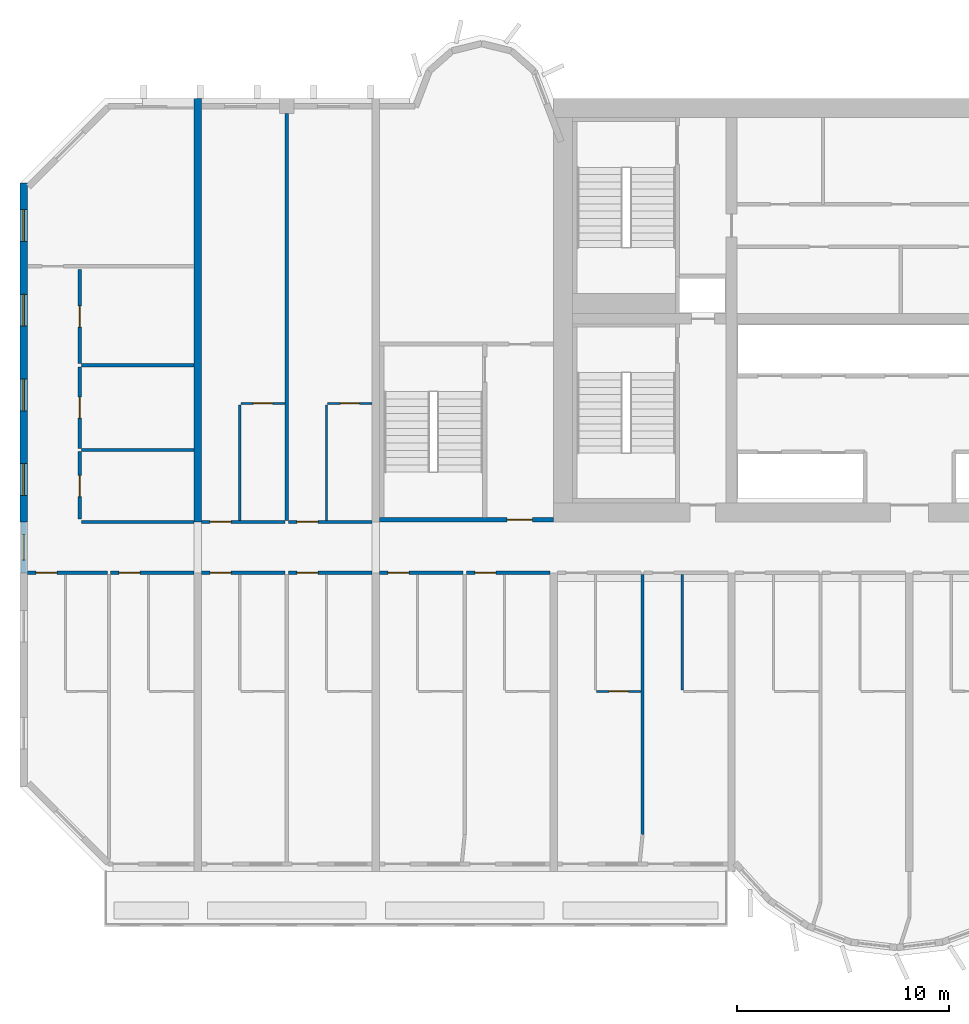
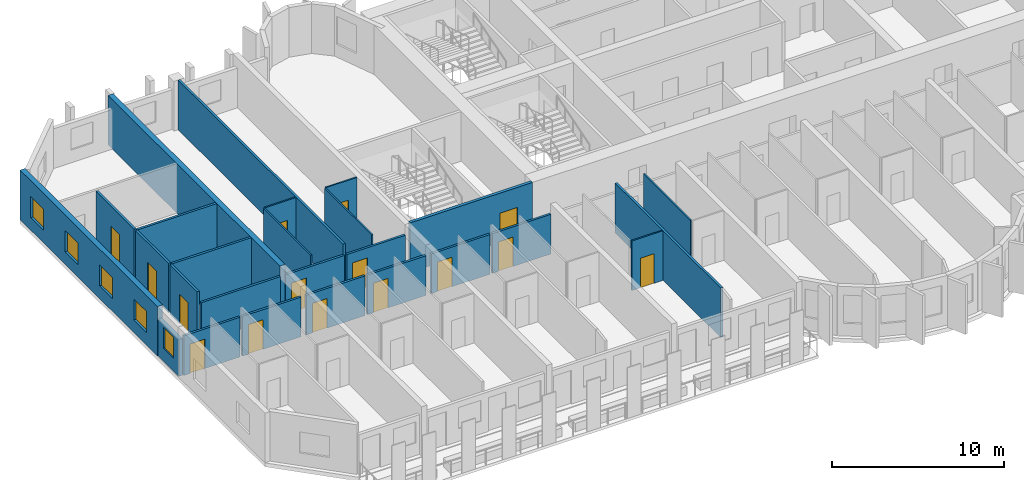
# One storey, part 3 of 14: 26 walls, 15 doors, 5 windows, 20 openings.
"""IFC4 building model written with IfcOpenShell, lengths in metres."""

from ifc_helpers import new_model, si_unit, direction, frame, frame_2d, origin, place, context, subcontext, project, spatial, rectangle, extrude, source, transform, mapped, material, layer, layer_set, type_object, element, fill, save


model = new_model("IFC4")

# Units and contexts
model_context = context("Model", 3, precision=1e-05, world=origin(), true_north=direction((0.0, 1.0)))
body_context = subcontext(model_context, "Body", "Model", "MODEL_VIEW")
ifc_project = project(units=[si_unit("LENGTHUNIT", "METRE"), si_unit("AREAUNIT", "SQUARE_METRE"), si_unit("VOLUMEUNIT", "CUBIC_METRE"), si_unit("PLANEANGLEUNIT", "RADIAN"), si_unit("MASSUNIT", "GRAM", prefix="KILO")], contexts=[model_context])

# Site, building, storey
site_placement = place(None, origin())
site = spatial("IfcSite", under=ifc_project, at=site_placement, CompositionType="ELEMENT")
building_placement = place(site_placement, origin())
building = spatial("IfcBuilding", under=site, at=building_placement, Name="Vanashikhar Sky Hotel", CompositionType="ELEMENT")
storey_placement = place(building_placement, frame((0.0, 0.0, 102.800048828125)))
storey = spatial("IfcBuildingStorey", under=building, at=storey_placement, Name="L24", CompositionType="ELEMENT", Elevation=102.800048828125)

# Wall, openings, windows
ifc_material_1 = material(Name="Concrete M70", Category="concrete")
ifc_layer_1 = layer(ifc_material_1, 0.35009765625)
ifc_layer_set_1 = layer_set([ifc_layer_1], Name="RC shear wall 350 Concrete M70")
wall_type_1 = type_object("IfcWallType", Name="RC shear wall 350 Concrete M70", PredefinedType="SHEAR", material=ifc_layer_set_1)
shared_shape_1 = source(origin(), body_context, "Body", "SweptSolid", [
    extrude(rectangle(XDim=16.0, YDim=0.35009765625, at=frame_2d((8.0, 0.0))), origin(), (0.0, 0.0, 1.0), 3.52001953125),
])
wall_1_placement = place(storey_placement, frame((0.175048828125, 22.0, 0.0), z_axis=(0.0, 0.0, 1.0), x_axis=(0.0, 1.0, 0.0)))
wall_1 = element("IfcWall", 1, at=wall_1_placement, inside=storey, type_object=wall_type_1, Name="CW-L24-XW01-2", PredefinedType="SHEAR", context=body_context, shape_type="MappedRepresentation", body=[
    mapped(shared_shape_1, transform((0.0, 0.0, 0.0), scale=1.0)),
])
shared_shape_2 = source(origin(), body_context, "Body", "SweptSolid", [
    extrude(rectangle(XDim=1.5, YDim=1.5, at=frame_2d((0.75, 0.75))), frame((0.0, 0.18505859375, 0.0), z_axis=(0.0, -1.0, 0.0), x_axis=(1.0, 0.0, 0.0)), (0.0, 0.0, 1.0), 0.3701171875),
])
opening_1_placement = place(wall_1_placement, frame((1.25, 0.0, 0.89990234375)))
opening_1 = element("IfcOpeningElement", 2, at=opening_1_placement, cuts=wall_1, Name="Opening WN-1", PredefinedType="OPENING", context=body_context, shape_type="MappedRepresentation", body=[
    mapped(shared_shape_2, transform((0.0, 0.0, 0.0), scale=1.0)),
])
opening_2_placement = place(wall_1_placement, frame((5.25, 0.0, 0.89990234375)))
opening_2 = element("IfcOpeningElement", 3, at=opening_2_placement, cuts=wall_1, Name="Opening WN-1", PredefinedType="OPENING", context=body_context, shape_type="MappedRepresentation", body=[
    mapped(shared_shape_2, transform((0.0, 0.0, 0.0), scale=1.0)),
])
opening_3_placement = place(wall_1_placement, frame((9.25, 0.0, 0.89990234375)))
opening_3 = element("IfcOpeningElement", 4, at=opening_3_placement, cuts=wall_1, Name="Opening WN-1", PredefinedType="OPENING", context=body_context, shape_type="MappedRepresentation", body=[
    mapped(shared_shape_2, transform((0.0, 0.0, 0.0), scale=1.0)),
])
opening_4_placement = place(wall_1_placement, frame((13.25, 0.0, 0.89990234375)))
opening_4 = element("IfcOpeningElement", 5, at=opening_4_placement, cuts=wall_1, Name="Opening WN-1", PredefinedType="OPENING", context=body_context, shape_type="MappedRepresentation", body=[
    mapped(shared_shape_2, transform((0.0, 0.0, 0.0), scale=1.0)),
])
ifc_material_2 = material(Name="Glass", Category="glass")
window_type_1 = type_object("IfcWindowType", Name="Window 1500 x 1500", PartitioningType="SINGLE_PANEL", PredefinedType="WINDOW", material=ifc_material_2)
shared_shape_3 = source(origin(), body_context, "Body", "SweptSolid", [
    extrude(rectangle(XDim=1.5, YDim=1.5, at=frame_2d((0.75, 0.75))), frame((0.0, 0.030029296875, 0.0), z_axis=(0.0, -1.0, 0.0), x_axis=(1.0, 0.0, 0.0)), (0.0, 0.0, 1.0), 0.06005859375),
])
window_1_placement = place(opening_1_placement, origin())
window_1 = element("IfcWindow", 6, at=window_1_placement, inside=storey, type_object=window_type_1, Name="Window WN-1", OverallHeight=1.5, OverallWidth=1.5, PartitioningType="SINGLE_PANEL", PredefinedType="WINDOW", context=body_context, shape_type="MappedRepresentation", body=[
    mapped(shared_shape_3, transform((0.0, 0.0, 0.0), scale=1.0)),
])
fill(opening_1, window_1)
window_2_placement = place(opening_2_placement, origin())
window_2 = element("IfcWindow", 7, at=window_2_placement, inside=storey, type_object=window_type_1, Name="Window WN-1", OverallHeight=1.5, OverallWidth=1.5, PartitioningType="SINGLE_PANEL", PredefinedType="WINDOW", context=body_context, shape_type="MappedRepresentation", body=[
    mapped(shared_shape_3, transform((0.0, 0.0, 0.0), scale=1.0)),
])
fill(opening_2, window_2)
window_3_placement = place(opening_3_placement, origin())
window_3 = element("IfcWindow", 8, at=window_3_placement, inside=storey, type_object=window_type_1, Name="Window WN-1", OverallHeight=1.5, OverallWidth=1.5, PartitioningType="SINGLE_PANEL", PredefinedType="WINDOW", context=body_context, shape_type="MappedRepresentation", body=[
    mapped(shared_shape_3, transform((0.0, 0.0, 0.0), scale=1.0)),
])
fill(opening_3, window_3)
window_4_placement = place(opening_4_placement, origin())
window_4 = element("IfcWindow", 9, at=window_4_placement, inside=storey, type_object=window_type_1, Name="Window WN-1", OverallHeight=1.5, OverallWidth=1.5, PartitioningType="SINGLE_PANEL", PredefinedType="WINDOW", context=body_context, shape_type="MappedRepresentation", body=[
    mapped(shared_shape_3, transform((0.0, 0.0, 0.0), scale=1.0)),
])
fill(opening_4, window_4)

# Wall
shared_shape_4 = source(origin(), body_context, "Body", "SweptSolid", [
    extrude(rectangle(XDim=20.0, YDim=0.35009765625, at=frame_2d((10.0, 0.0))), origin(), (0.0, 0.0, 1.0), 3.52001953125),
])
wall_2_placement = place(storey_placement, frame((8.39990234375, 22.0, 0.0), z_axis=(0.0, 0.0, 1.0), x_axis=(0.0, 1.0, 0.0)))
element("IfcWall", 10, at=wall_2_placement, inside=storey, type_object=wall_type_1, Name="CW-L24-XW02-2", PredefinedType="SHEAR", context=body_context, shape_type="MappedRepresentation", body=[
    mapped(shared_shape_4, transform((0.0, 0.0, 0.0), scale=1.0)),
])

# Wall, opening, window
ifc_material_3 = material(Name="Concrete M50", Category="concrete")
ifc_layer_2 = layer(ifc_material_3, 0.25)
ifc_layer_set_2 = layer_set([ifc_layer_2], Name="Rear and end board-marked wall 250")
wall_type_2 = type_object("IfcWallType", Name="Rear and end board-marked wall 250", PredefinedType="SOLIDWALL", material=ifc_layer_set_2)
shared_shape_5 = source(origin(), body_context, "Body", "SweptSolid", [
    extrude(rectangle(XDim=2.39990234375, YDim=0.25, at=frame_2d((1.199951171875, 0.0))), origin(), (0.0, 0.0, 1.0), 2.619873046875),
])
wall_3_placement = place(storey_placement, frame((0.175048828125, 19.60009765625, 0.0), z_axis=(0.0, 0.0, 1.0), x_axis=(0.0, 1.0, 0.0)))
wall_3 = element("IfcWall", 11, at=wall_3_placement, inside=storey, type_object=wall_type_2, Name="End corridor infill wall", PredefinedType="SOLIDWALL", context=body_context, shape_type="MappedRepresentation", body=[
    mapped(shared_shape_5, transform((0.0, 0.0, 0.0), scale=1.0)),
])
shared_shape_6 = source(origin(), body_context, "Body", "SweptSolid", [
    extrude(rectangle(XDim=1.199951171875, YDim=1.5, at=frame_2d((0.60009765625, 0.75))), frame((0.0, 0.135009765625, 0.0), z_axis=(0.0, -1.0, 0.0), x_axis=(1.0, 0.0, 0.0)), (0.0, 0.0, 1.0), 0.27001953125),
])
opening_5_placement = place(wall_3_placement, frame((0.60009765625, 0.0, 0.89990234375)))
opening_5 = element("IfcOpeningElement", 12, at=opening_5_placement, cuts=wall_3, Name="Opening WN-3", PredefinedType="OPENING", context=body_context, shape_type="MappedRepresentation", body=[
    mapped(shared_shape_6, transform((0.0, 0.0, 0.0), scale=1.0)),
])
window_type_2 = type_object("IfcWindowType", Name="Corridor end window 1200 x 1500", PartitioningType="SINGLE_PANEL", PredefinedType="WINDOW", material=ifc_material_2)
shared_shape_7 = source(origin(), body_context, "Body", "SweptSolid", [
    extrude(rectangle(XDim=1.199951171875, YDim=1.5, at=frame_2d((0.60009765625, 0.75))), frame((0.0, 0.030029296875, 0.0), z_axis=(0.0, -1.0, 0.0), x_axis=(1.0, 0.0, 0.0)), (0.0, 0.0, 1.0), 0.06005859375),
])
window_5_placement = place(opening_5_placement, origin())
window_5 = element("IfcWindow", 13, at=window_5_placement, inside=storey, type_object=window_type_2, Name="Window WN-3", OverallHeight=1.5, OverallWidth=1.199951171875, PartitioningType="SINGLE_PANEL", PredefinedType="WINDOW", context=body_context, shape_type="MappedRepresentation", body=[
    mapped(shared_shape_7, transform((0.0, 0.0, 0.0), scale=1.0)),
])
fill(opening_5, window_5)

# Wall, opening, door
ifc_layer_3 = layer(ifc_material_3, 0.199951171875)
ifc_layer_set_3 = layer_set([ifc_layer_3], Name="Stair wall 200")
wall_type_3 = type_object("IfcWallType", Name="Stair wall 200", PredefinedType="SOLIDWALL", material=ifc_layer_set_3)
shared_shape_8 = source(origin(), body_context, "Body", "SweptSolid", [
    extrude(rectangle(XDim=8.224853515625, YDim=0.199951171875, at=frame_2d((4.1123046875, 0.0))), origin(), (0.0, 0.0, 1.0), 3.52001953125),
])
wall_4_placement = place(storey_placement, frame((16.97509765625, 22.10009765625, 0.0), z_axis=(0.0, 0.0, 1.0), x_axis=(1.0, 0.0, 0.0)))
wall_4 = element("IfcWall", 14, at=wall_4_placement, inside=storey, type_object=wall_type_3, Name="Stair wall 200", PredefinedType="SOLIDWALL", context=body_context, shape_type="MappedRepresentation", body=[
    mapped(shared_shape_8, transform((0.0, 0.0, 0.0), scale=1.0)),
])
shared_shape_9 = source(origin(), body_context, "Body", "SweptSolid", [
    extrude(rectangle(XDim=1.199951171875, YDim=2.10009765625, at=frame_2d((0.60009765625, 1.050048828125))), frame((0.0, 0.10986328125, 0.0), z_axis=(0.0, -1.0, 0.0), x_axis=(1.0, 0.0, 0.0)), (0.0, 0.0, 1.0), 0.219970703125),
])
opening_6_placement = place(wall_4_placement, frame((6.02490234375, 0.0, 0.0)))
opening_6 = element("IfcOpeningElement", 15, at=opening_6_placement, cuts=wall_4, Name="Opening DC-2", PredefinedType="OPENING", context=body_context, shape_type="MappedRepresentation", body=[
    mapped(shared_shape_9, transform((0.0, 0.0, 0.0), scale=1.0)),
])
ifc_material_4 = material(Name="Steel", Category="steel")
door_type_1 = type_object("IfcDoorType", Name="Firefighting lobby door 1200 FD120", OperationType="NOTDEFINED", PredefinedType="DOOR", material=ifc_material_4)
shared_shape_10 = source(origin(), body_context, "Body", "SweptSolid", [
    extrude(rectangle(XDim=1.199951171875, YDim=2.10009765625, at=frame_2d((0.60009765625, 1.050048828125))), frame((0.0, 0.02490234375, 0.0), z_axis=(0.0, -1.0, 0.0), x_axis=(1.0, 0.0, 0.0)), (0.0, 0.0, 1.0), 0.050048828125),
])
door_1_placement = place(opening_6_placement, origin())
door_1 = element("IfcDoor", 16, at=door_1_placement, inside=storey, type_object=door_type_1, Name="Firefighting lobby door 1200 FD120", OperationType="SINGLE_SWING_LEFT", OverallHeight=2.10009765625, OverallWidth=1.199951171875, PredefinedType="DOOR", context=body_context, shape_type="MappedRepresentation", body=[
    mapped(shared_shape_10, transform((0.0, 0.0, 0.0), scale=1.0)),
])
fill(opening_6, door_1)

ifc_material_5 = material(Name="Gypsum plasterboard partition")
ifc_layer_4 = layer(ifc_material_5, 0.14990234375)
ifc_layer_set_4 = layer_set([ifc_layer_4], Name="Corridor and demising partition 150")
wall_type_4 = type_object("IfcWallType", Name="Corridor and demising partition 150", PredefinedType="PARTITIONING", material=ifc_layer_set_4)
shared_shape_11 = source(origin(), body_context, "Body", "SweptSolid", [
    extrude(rectangle(XDim=3.175048828125, YDim=0.14990234375, at=frame_2d((1.58740234375, 0.0))), origin(), (0.0, 0.0, 1.0), 3.52001953125),
])
wall_5_placement = place(storey_placement, frame((2.824951171875, 22.14990234375, 0.0), z_axis=(0.0, 0.0, 1.0), x_axis=(0.0, 1.0, 0.0)))
wall_5 = element("IfcWall", 17, at=wall_5_placement, inside=storey, type_object=wall_type_4, Name="W-L24-PW082", PredefinedType="PARTITIONING", context=body_context, shape_type="MappedRepresentation", body=[
    mapped(shared_shape_11, transform((0.0, 0.0, 0.0), scale=1.0)),
])
shared_shape_12 = source(origin(), body_context, "Body", "SweptSolid", [
    extrude(rectangle(XDim=1.0, YDim=2.10009765625, at=frame_2d((0.5, 1.050048828125))), frame((0.0, 0.0849609375, 0.0), z_axis=(0.0, -1.0, 0.0), x_axis=(1.0, 0.0, 0.0)), (0.0, 0.0, 1.0), 0.169921875),
])
opening_7_placement = place(wall_5_placement, frame((1.050048828125, 0.0, 0.0)))
opening_7 = element("IfcOpeningElement", 18, at=opening_7_placement, cuts=wall_5, Name="Opening D-01", PredefinedType="OPENING", context=body_context, shape_type="MappedRepresentation", body=[
    mapped(shared_shape_12, transform((0.0, 0.0, 0.0), scale=1.0)),
])
ifc_material_6 = material(Name="Timber fire door", Category="wood")
door_type_2 = type_object("IfcDoorType", Name="Guest entry door 1000 FD30S", OperationType="NOTDEFINED", PredefinedType="DOOR", material=ifc_material_6)
shared_shape_13 = source(origin(), body_context, "Body", "SweptSolid", [
    extrude(rectangle(XDim=1.0, YDim=2.10009765625, at=frame_2d((0.5, 1.050048828125))), frame((0.0, 0.02490234375, 0.0), z_axis=(0.0, -1.0, 0.0), x_axis=(1.0, 0.0, 0.0)), (0.0, 0.0, 1.0), 0.050048828125),
])
door_2_placement = place(opening_7_placement, origin())
door_2 = element("IfcDoor", 19, at=door_2_placement, inside=storey, type_object=door_type_2, Name="D-L24-046", OperationType="SINGLE_SWING_LEFT", OverallHeight=2.10009765625, OverallWidth=1.0, PredefinedType="DOOR", context=body_context, shape_type="MappedRepresentation", body=[
    mapped(shared_shape_13, transform((0.0, 0.0, 0.0), scale=1.0)),
])
fill(opening_7, door_2)

shared_shape_14 = source(origin(), body_context, "Body", "SweptSolid", [
    extrude(rectangle(XDim=3.849853515625, YDim=0.14990234375, at=frame_2d((1.9248046875, 0.0))), origin(), (0.0, 0.0, 1.0), 3.52001953125),
])
wall_6_placement = place(storey_placement, frame((2.824951171875, 25.47509765625, 0.0), z_axis=(0.0, 0.0, 1.0), x_axis=(0.0, 1.0, 0.0)))
wall_6 = element("IfcWall", 20, at=wall_6_placement, inside=storey, type_object=wall_type_4, Name="W-L24-PW084", PredefinedType="PARTITIONING", context=body_context, shape_type="MappedRepresentation", body=[
    mapped(shared_shape_14, transform((0.0, 0.0, 0.0), scale=1.0)),
])
opening_8_placement = place(wall_6_placement, frame((1.425048828125, 0.0, 0.0)))
opening_8 = element("IfcOpeningElement", 21, at=opening_8_placement, cuts=wall_6, Name="Opening D-01", PredefinedType="OPENING", context=body_context, shape_type="MappedRepresentation", body=[
    mapped(shared_shape_12, transform((0.0, 0.0, 0.0), scale=1.0)),
])
door_3_placement = place(opening_8_placement, origin())
door_3 = element("IfcDoor", 22, at=door_3_placement, inside=storey, type_object=door_type_2, Name="D-L24-047", OperationType="SINGLE_SWING_LEFT", OverallHeight=2.10009765625, OverallWidth=1.0, PredefinedType="DOOR", context=body_context, shape_type="MappedRepresentation", body=[
    mapped(shared_shape_13, transform((0.0, 0.0, 0.0), scale=1.0)),
])
fill(opening_8, door_3)

shared_shape_15 = source(origin(), body_context, "Body", "SweptSolid", [
    extrude(rectangle(XDim=4.449951171875, YDim=0.14990234375, at=frame_2d((2.22509765625, 0.0))), origin(), (0.0, 0.0, 1.0), 3.52001953125),
])
wall_7_placement = place(storey_placement, frame((2.824951171875, 29.47509765625, 0.0), z_axis=(0.0, 0.0, 1.0), x_axis=(0.0, 1.0, 0.0)))
wall_7 = element("IfcWall", 23, at=wall_7_placement, inside=storey, type_object=wall_type_4, Name="W-L24-PW086", PredefinedType="PARTITIONING", context=body_context, shape_type="MappedRepresentation", body=[
    mapped(shared_shape_15, transform((0.0, 0.0, 0.0), scale=1.0)),
])
opening_9_placement = place(wall_7_placement, frame((1.72509765625, 0.0, 0.0)))
opening_9 = element("IfcOpeningElement", 24, at=opening_9_placement, cuts=wall_7, Name="Opening D-01", PredefinedType="OPENING", context=body_context, shape_type="MappedRepresentation", body=[
    mapped(shared_shape_12, transform((0.0, 0.0, 0.0), scale=1.0)),
])
door_4_placement = place(opening_9_placement, origin())
door_4 = element("IfcDoor", 25, at=door_4_placement, inside=storey, type_object=door_type_2, Name="D-L24-048", OperationType="SINGLE_SWING_LEFT", OverallHeight=2.10009765625, OverallWidth=1.0, PredefinedType="DOOR", context=body_context, shape_type="MappedRepresentation", body=[
    mapped(shared_shape_13, transform((0.0, 0.0, 0.0), scale=1.0)),
])
fill(opening_9, door_4)

# Walls
ifc_layer_5 = layer(ifc_material_5, 0.10009765625)
ifc_layer_set_5 = layer_set([ifc_layer_5], Name="Wet room partition 100")
wall_type_5 = type_object("IfcWallType", Name="Wet room partition 100", PredefinedType="PARTITIONING", material=ifc_layer_set_5)
shared_shape_16 = source(origin(), body_context, "Body", "SweptSolid", [
    extrude(rectangle(XDim=5.449951171875, YDim=0.10009765625, at=frame_2d((2.72509765625, 0.0))), origin(), (0.0, 0.0, 1.0), 3.52001953125),
])
for number, where, z_axis, x_axis, name in (
    (26, (31.27490234375, 14.074951171875, 0.0), (0.0, 0.0, 1.0), (0.0, 1.0, 0.0), "W-L24-PW025"),
    (27, (10.375, 22.074951171875, 0.0), (0.0, 0.0, 1.0), (0.0, 1.0, 0.0), "W-L24-PW088"),
    (28, (14.47509765625, 22.074951171875, 0.0), (0.0, 0.0, 1.0), (0.0, 1.0, 0.0), "W-L24-PW091"),
):
    element("IfcWall", number, at=place(storey_placement, frame(where, z_axis=z_axis, x_axis=x_axis)), inside=storey, type_object=wall_type_5, Name=name, PredefinedType="PARTITIONING", context=body_context, shape_type="MappedRepresentation", body=[
        mapped(shared_shape_16, transform((0.0, 0.0, 0.0), scale=1.0)),
    ])

# Wall, opening, door
shared_shape_17 = source(origin(), body_context, "Body", "SweptSolid", [
    extrude(rectangle(XDim=3.77490234375, YDim=0.14990234375, at=frame_2d((1.887451171875, 0.0))), origin(), (0.0, 0.0, 1.0), 2.820068359375),
])
wall_8_placement = place(storey_placement, frame((0.35009765625, 19.60009765625, 0.0), z_axis=(0.0, 0.0, 1.0), x_axis=(1.0, 0.0, 0.0)))
wall_8 = element("IfcWall", 29, at=wall_8_placement, inside=storey, type_object=wall_type_4, Name="W-L24-PW003", PredefinedType="PARTITIONING", context=body_context, shape_type="MappedRepresentation", body=[
    mapped(shared_shape_17, transform((0.0, 0.0, 0.0), scale=1.0)),
])
opening_10_placement = place(wall_8_placement, frame((0.39990234375, 0.0, 0.0)))
opening_10 = element("IfcOpeningElement", 30, at=opening_10_placement, cuts=wall_8, Name="Opening D-01", PredefinedType="OPENING", context=body_context, shape_type="MappedRepresentation", body=[
    mapped(shared_shape_12, transform((0.0, 0.0, 0.0), scale=1.0)),
])
door_5_placement = place(opening_10_placement, origin())
door_5 = element("IfcDoor", 31, at=door_5_placement, inside=storey, type_object=door_type_2, Name="D-L24-002", OperationType="SINGLE_SWING_LEFT", OverallHeight=2.10009765625, OverallWidth=1.0, PredefinedType="DOOR", context=body_context, shape_type="MappedRepresentation", body=[
    mapped(shared_shape_13, transform((0.0, 0.0, 0.0), scale=1.0)),
])
fill(opening_10, door_5)

shared_shape_18 = source(origin(), body_context, "Body", "SweptSolid", [
    extrude(rectangle(XDim=2.10009765625, YDim=0.10009765625, at=frame_2d((1.050048828125, 0.0))), origin(), (0.0, 0.0, 1.0), 3.52001953125),
])
wall_9_placement = place(storey_placement, frame((14.52490234375, 27.60009765625, 0.0), z_axis=(0.0, 0.0, 1.0), x_axis=(1.0, 0.0, 0.0)))
wall_9 = element("IfcWall", 32, at=wall_9_placement, inside=storey, type_object=wall_type_5, Name="W-L24-PW092", PredefinedType="PARTITIONING", context=body_context, shape_type="MappedRepresentation", body=[
    mapped(shared_shape_18, transform((0.0, 0.0, 0.0), scale=1.0)),
])
shared_shape_19 = source(origin(), body_context, "Body", "SweptSolid", [
    extrude(rectangle(XDim=0.89990234375, YDim=2.10009765625, at=frame_2d((0.449951171875, 1.050048828125))), frame((0.0, 0.06005859375, 0.0), z_axis=(0.0, -1.0, 0.0), x_axis=(1.0, 0.0, 0.0)), (0.0, 0.0, 1.0), 0.1201171875),
])
opening_11_placement = place(wall_9_placement, frame((0.60009765625, 0.0, 0.0)))
opening_11 = element("IfcOpeningElement", 33, at=opening_11_placement, cuts=wall_9, Name="Opening D-02", PredefinedType="OPENING", context=body_context, shape_type="MappedRepresentation", body=[
    mapped(shared_shape_19, transform((0.0, 0.0, 0.0), scale=1.0)),
])
ifc_material_7 = material(Name="Timber door", Category="wood")
door_type_3 = type_object("IfcDoorType", Name="Internal door 900", OperationType="NOTDEFINED", PredefinedType="DOOR", material=ifc_material_7)
shared_shape_20 = source(origin(), body_context, "Body", "SweptSolid", [
    extrude(rectangle(XDim=0.89990234375, YDim=2.10009765625, at=frame_2d((0.449951171875, 1.050048828125))), frame((0.0, 0.02490234375, 0.0), z_axis=(0.0, -1.0, 0.0), x_axis=(1.0, 0.0, 0.0)), (0.0, 0.0, 1.0), 0.050048828125),
])
door_6_placement = place(opening_11_placement, origin())
door_6 = element("IfcDoor", 34, at=door_6_placement, inside=storey, type_object=door_type_3, Name="D-L24-052", OperationType="SINGLE_SWING_LEFT", OverallHeight=2.10009765625, OverallWidth=0.89990234375, PredefinedType="DOOR", context=body_context, shape_type="MappedRepresentation", body=[
    mapped(shared_shape_20, transform((0.0, 0.0, 0.0), scale=1.0)),
])
fill(opening_11, door_6)

shared_shape_21 = source(origin(), body_context, "Body", "SweptSolid", [
    extrude(rectangle(XDim=3.9501953125, YDim=0.14990234375, at=frame_2d((1.97509765625, 0.0))), origin(), (0.0, 0.0, 1.0), 2.820068359375),
])
wall_10_placement = place(storey_placement, frame((4.27490234375, 19.60009765625, 0.0), z_axis=(0.0, 0.0, 1.0), x_axis=(1.0, 0.0, 0.0)))
wall_10 = element("IfcWall", 35, at=wall_10_placement, inside=storey, type_object=wall_type_4, Name="W-L24-PW006", PredefinedType="PARTITIONING", context=body_context, shape_type="MappedRepresentation", body=[
    mapped(shared_shape_21, transform((0.0, 0.0, 0.0), scale=1.0)),
])
opening_12_placement = place(wall_10_placement, frame((0.39990234375, 0.0, 0.0)))
opening_12 = element("IfcOpeningElement", 36, at=opening_12_placement, cuts=wall_10, Name="Opening D-01", PredefinedType="OPENING", context=body_context, shape_type="MappedRepresentation", body=[
    mapped(shared_shape_12, transform((0.0, 0.0, 0.0), scale=1.0)),
])
door_7_placement = place(opening_12_placement, origin())
door_7 = element("IfcDoor", 37, at=door_7_placement, inside=storey, type_object=door_type_2, Name="D-L24-004", OperationType="SINGLE_SWING_LEFT", OverallHeight=2.10009765625, OverallWidth=1.0, PredefinedType="DOOR", context=body_context, shape_type="MappedRepresentation", body=[
    mapped(shared_shape_13, transform((0.0, 0.0, 0.0), scale=1.0)),
])
fill(opening_12, door_7)

shared_shape_22 = source(origin(), body_context, "Body", "SweptSolid", [
    extrude(rectangle(XDim=3.949951171875, YDim=0.14990234375, at=frame_2d((1.97509765625, 0.0))), origin(), (0.0, 0.0, 1.0), 2.820068359375),
])
wall_11_placement = place(storey_placement, frame((8.574951171875, 19.60009765625, 0.0), z_axis=(0.0, 0.0, 1.0), x_axis=(1.0, 0.0, 0.0)))
wall_11 = element("IfcWall", 38, at=wall_11_placement, inside=storey, type_object=wall_type_4, Name="W-L24-PW010", PredefinedType="PARTITIONING", context=body_context, shape_type="MappedRepresentation", body=[
    mapped(shared_shape_22, transform((0.0, 0.0, 0.0), scale=1.0)),
])
opening_13_placement = place(wall_11_placement, frame((0.39990234375, 0.0, 0.0)))
opening_13 = element("IfcOpeningElement", 39, at=opening_13_placement, cuts=wall_11, Name="Opening D-01", PredefinedType="OPENING", context=body_context, shape_type="MappedRepresentation", body=[
    mapped(shared_shape_12, transform((0.0, 0.0, 0.0), scale=1.0)),
])
door_8_placement = place(opening_13_placement, origin())
door_8 = element("IfcDoor", 40, at=door_8_placement, inside=storey, type_object=door_type_2, Name="D-L24-006", OperationType="SINGLE_SWING_LEFT", OverallHeight=2.10009765625, OverallWidth=1.0, PredefinedType="DOOR", context=body_context, shape_type="MappedRepresentation", body=[
    mapped(shared_shape_13, transform((0.0, 0.0, 0.0), scale=1.0)),
])
fill(opening_13, door_8)

wall_12_placement = place(storey_placement, frame((12.675048828125, 19.60009765625, 0.0), z_axis=(0.0, 0.0, 1.0), x_axis=(1.0, 0.0, 0.0)))
wall_12 = element("IfcWall", 41, at=wall_12_placement, inside=storey, type_object=wall_type_4, Name="W-L24-PW013", PredefinedType="PARTITIONING", context=body_context, shape_type="MappedRepresentation", body=[
    mapped(shared_shape_22, transform((0.0, 0.0, 0.0), scale=1.0)),
])
opening_14_placement = place(wall_12_placement, frame((0.39990234375, 0.0, 0.0)))
opening_14 = element("IfcOpeningElement", 42, at=opening_14_placement, cuts=wall_12, Name="Opening D-01", PredefinedType="OPENING", context=body_context, shape_type="MappedRepresentation", body=[
    mapped(shared_shape_12, transform((0.0, 0.0, 0.0), scale=1.0)),
])
door_9_placement = place(opening_14_placement, origin())
door_9 = element("IfcDoor", 43, at=door_9_placement, inside=storey, type_object=door_type_2, Name="D-L24-008", OperationType="SINGLE_SWING_LEFT", OverallHeight=2.10009765625, OverallWidth=1.0, PredefinedType="DOOR", context=body_context, shape_type="MappedRepresentation", body=[
    mapped(shared_shape_13, transform((0.0, 0.0, 0.0), scale=1.0)),
])
fill(opening_14, door_9)

wall_13_placement = place(storey_placement, frame((16.97509765625, 19.60009765625, 0.0), z_axis=(0.0, 0.0, 1.0), x_axis=(1.0, 0.0, 0.0)))
wall_13 = element("IfcWall", 44, at=wall_13_placement, inside=storey, type_object=wall_type_4, Name="W-L24-PW017", PredefinedType="PARTITIONING", context=body_context, shape_type="MappedRepresentation", body=[
    mapped(shared_shape_22, transform((0.0, 0.0, 0.0), scale=1.0)),
])
opening_15_placement = place(wall_13_placement, frame((0.39990234375, 0.0, 0.0)))
opening_15 = element("IfcOpeningElement", 45, at=opening_15_placement, cuts=wall_13, Name="Opening D-01", PredefinedType="OPENING", context=body_context, shape_type="MappedRepresentation", body=[
    mapped(shared_shape_12, transform((0.0, 0.0, 0.0), scale=1.0)),
])
door_10_placement = place(opening_15_placement, origin())
door_10 = element("IfcDoor", 46, at=door_10_placement, inside=storey, type_object=door_type_2, Name="D-L24-010", OperationType="SINGLE_SWING_LEFT", OverallHeight=2.10009765625, OverallWidth=1.0, PredefinedType="DOOR", context=body_context, shape_type="MappedRepresentation", body=[
    mapped(shared_shape_13, transform((0.0, 0.0, 0.0), scale=1.0)),
])
fill(opening_15, door_10)

wall_14_placement = place(storey_placement, frame((21.074951171875, 19.60009765625, 0.0), z_axis=(0.0, 0.0, 1.0), x_axis=(1.0, 0.0, 0.0)))
wall_14 = element("IfcWall", 47, at=wall_14_placement, inside=storey, type_object=wall_type_4, Name="W-L24-PW020", PredefinedType="PARTITIONING", context=body_context, shape_type="MappedRepresentation", body=[
    mapped(shared_shape_22, transform((0.0, 0.0, 0.0), scale=1.0)),
])
opening_16_placement = place(wall_14_placement, frame((0.39990234375, 0.0, 0.0)))
opening_16 = element("IfcOpeningElement", 48, at=opening_16_placement, cuts=wall_14, Name="Opening D-01", PredefinedType="OPENING", context=body_context, shape_type="MappedRepresentation", body=[
    mapped(shared_shape_12, transform((0.0, 0.0, 0.0), scale=1.0)),
])
door_11_placement = place(opening_16_placement, origin())
door_11 = element("IfcDoor", 49, at=door_11_placement, inside=storey, type_object=door_type_2, Name="D-L24-012", OperationType="SINGLE_SWING_LEFT", OverallHeight=2.10009765625, OverallWidth=1.0, PredefinedType="DOOR", context=body_context, shape_type="MappedRepresentation", body=[
    mapped(shared_shape_13, transform((0.0, 0.0, 0.0), scale=1.0)),
])
fill(opening_16, door_11)

wall_15_placement = place(storey_placement, frame((8.574951171875, 22.0, 0.0), z_axis=(0.0, 0.0, 1.0), x_axis=(1.0, 0.0, 0.0)))
wall_15 = element("IfcWall", 50, at=wall_15_placement, inside=storey, type_object=wall_type_4, Name="W-L24-PW090", PredefinedType="PARTITIONING", context=body_context, shape_type="MappedRepresentation", body=[
    mapped(shared_shape_22, transform((0.0, 0.0, 0.0), scale=1.0)),
])
opening_17_placement = place(wall_15_placement, frame((0.39990234375, 0.0, 0.0)))
opening_17 = element("IfcOpeningElement", 51, at=opening_17_placement, cuts=wall_15, Name="Opening D-01", PredefinedType="OPENING", context=body_context, shape_type="MappedRepresentation", body=[
    mapped(shared_shape_12, transform((0.0, 0.0, 0.0), scale=1.0)),
])
door_12_placement = place(opening_17_placement, origin())
door_12 = element("IfcDoor", 52, at=door_12_placement, inside=storey, type_object=door_type_2, Name="D-L24-051", OperationType="SINGLE_SWING_LEFT", OverallHeight=2.10009765625, OverallWidth=1.0, PredefinedType="DOOR", context=body_context, shape_type="MappedRepresentation", body=[
    mapped(shared_shape_13, transform((0.0, 0.0, 0.0), scale=1.0)),
])
fill(opening_17, door_12)

wall_16_placement = place(storey_placement, frame((12.675048828125, 22.0, 0.0), z_axis=(0.0, 0.0, 1.0), x_axis=(1.0, 0.0, 0.0)))
wall_16 = element("IfcWall", 53, at=wall_16_placement, inside=storey, type_object=wall_type_4, Name="W-L24-PW093", PredefinedType="PARTITIONING", context=body_context, shape_type="MappedRepresentation", body=[
    mapped(shared_shape_22, transform((0.0, 0.0, 0.0), scale=1.0)),
])
opening_18_placement = place(wall_16_placement, frame((0.39990234375, 0.0, 0.0)))
opening_18 = element("IfcOpeningElement", 54, at=opening_18_placement, cuts=wall_16, Name="Opening D-01", PredefinedType="OPENING", context=body_context, shape_type="MappedRepresentation", body=[
    mapped(shared_shape_12, transform((0.0, 0.0, 0.0), scale=1.0)),
])
door_13_placement = place(opening_18_placement, origin())
door_13 = element("IfcDoor", 55, at=door_13_placement, inside=storey, type_object=door_type_2, Name="D-L24-053", OperationType="SINGLE_SWING_LEFT", OverallHeight=2.10009765625, OverallWidth=1.0, PredefinedType="DOOR", context=body_context, shape_type="MappedRepresentation", body=[
    mapped(shared_shape_13, transform((0.0, 0.0, 0.0), scale=1.0)),
])
fill(opening_18, door_13)

shared_shape_23 = source(origin(), body_context, "Body", "SweptSolid", [
    extrude(rectangle(XDim=2.099853515625, YDim=0.10009765625, at=frame_2d((1.0498046875, 0.0))), origin(), (0.0, 0.0, 1.0), 3.52001953125),
])
wall_17_placement = place(storey_placement, frame((27.22509765625, 14.0, 0.0), z_axis=(0.0, 0.0, 1.0), x_axis=(1.0, 0.0, 0.0)))
wall_17 = element("IfcWall", 56, at=wall_17_placement, inside=storey, type_object=wall_type_5, Name="W-L24-PW023", PredefinedType="PARTITIONING", context=body_context, shape_type="MappedRepresentation", body=[
    mapped(shared_shape_23, transform((0.0, 0.0, 0.0), scale=1.0)),
])
opening_19_placement = place(wall_17_placement, frame((0.60009765625, 0.0, 0.0)))
opening_19 = element("IfcOpeningElement", 57, at=opening_19_placement, cuts=wall_17, Name="Opening D-02", PredefinedType="OPENING", context=body_context, shape_type="MappedRepresentation", body=[
    mapped(shared_shape_19, transform((0.0, 0.0, 0.0), scale=1.0)),
])
door_14_placement = place(opening_19_placement, origin())
door_14 = element("IfcDoor", 58, at=door_14_placement, inside=storey, type_object=door_type_3, Name="D-L24-013", OperationType="SINGLE_SWING_LEFT", OverallHeight=2.10009765625, OverallWidth=0.89990234375, PredefinedType="DOOR", context=body_context, shape_type="MappedRepresentation", body=[
    mapped(shared_shape_20, transform((0.0, 0.0, 0.0), scale=1.0)),
])
fill(opening_19, door_14)

wall_18_placement = place(storey_placement, frame((10.425048828125, 27.60009765625, 0.0), z_axis=(0.0, 0.0, 1.0), x_axis=(1.0, 0.0, 0.0)))
wall_18 = element("IfcWall", 59, at=wall_18_placement, inside=storey, type_object=wall_type_5, Name="W-L24-PW089", PredefinedType="PARTITIONING", context=body_context, shape_type="MappedRepresentation", body=[
    mapped(shared_shape_23, transform((0.0, 0.0, 0.0), scale=1.0)),
])
opening_20_placement = place(wall_18_placement, frame((0.60009765625, 0.0, 0.0)))
opening_20 = element("IfcOpeningElement", 60, at=opening_20_placement, cuts=wall_18, Name="Opening D-02", PredefinedType="OPENING", context=body_context, shape_type="MappedRepresentation", body=[
    mapped(shared_shape_19, transform((0.0, 0.0, 0.0), scale=1.0)),
])
door_15_placement = place(opening_20_placement, origin())
door_15 = element("IfcDoor", 61, at=door_15_placement, inside=storey, type_object=door_type_3, Name="D-L24-050", OperationType="SINGLE_SWING_LEFT", OverallHeight=2.10009765625, OverallWidth=0.89990234375, PredefinedType="DOOR", context=body_context, shape_type="MappedRepresentation", body=[
    mapped(shared_shape_20, transform((0.0, 0.0, 0.0), scale=1.0)),
])
fill(opening_20, door_15)

# Walls
shared_shape_24 = source(origin(), body_context, "Body", "SweptSolid", [
    extrude(rectangle(XDim=12.27490234375, YDim=0.14990234375, at=frame_2d((6.137451171875, 0.0))), origin(), (0.0, 0.0, 1.0), 3.52001953125),
])
wall_19_placement = place(storey_placement, frame((29.39990234375, 7.25, 0.0), z_axis=(0.0, 0.0, 1.0), x_axis=(0.0, 1.0, 0.0)))
element("IfcWall", 62, at=wall_19_placement, inside=storey, type_object=wall_type_4, Name="W-L24-PW028", PredefinedType="PARTITIONING", context=body_context, shape_type="MappedRepresentation", body=[
    mapped(shared_shape_24, transform((0.0, 0.0, 0.0), scale=1.0)),
])
shared_shape_25 = source(origin(), body_context, "Body", "SweptSolid", [
    extrude(rectangle(XDim=5.3251953125, YDim=0.14990234375, at=frame_2d((2.66259765625, 0.0))), origin(), (0.0, 0.0, 1.0), 2.820068359375),
])
wall_20_placement = place(storey_placement, frame((2.89990234375, 22.0, 0.0), z_axis=(0.0, 0.0, 1.0), x_axis=(1.0, 0.0, 0.0)))
element("IfcWall", 63, at=wall_20_placement, inside=storey, type_object=wall_type_4, Name="W-L24-PW081", PredefinedType="PARTITIONING", context=body_context, shape_type="MappedRepresentation", body=[
    mapped(shared_shape_25, transform((0.0, 0.0, 0.0), scale=1.0)),
])
shared_shape_26 = source(origin(), body_context, "Body", "SweptSolid", [
    extrude(rectangle(XDim=5.3251953125, YDim=0.14990234375, at=frame_2d((2.66259765625, 0.0))), origin(), (0.0, 0.0, 1.0), 3.52001953125),
])
for number, where, z_axis, x_axis, name in (
    (64, (2.89990234375, 25.39990234375, 0.0), (0.0, 0.0, 1.0), (1.0, 0.0, 0.0), "W-L24-PW083"),
    (65, (2.89990234375, 29.39990234375, 0.0), (0.0, 0.0, 1.0), (1.0, 0.0, 0.0), "W-L24-PW085"),
):
    element("IfcWall", number, at=place(storey_placement, frame(where, z_axis=z_axis, x_axis=x_axis)), inside=storey, type_object=wall_type_4, Name=name, PredefinedType="PARTITIONING", context=body_context, shape_type="MappedRepresentation", body=[
        mapped(shared_shape_26, transform((0.0, 0.0, 0.0), scale=1.0)),
    ])
shared_shape_27 = source(origin(), body_context, "Body", "SweptSolid", [
    extrude(rectangle(XDim=19.22509765625, YDim=0.14990234375, at=frame_2d((9.612548828125, 0.0))), origin(), (0.0, 0.0, 1.0), 3.52001953125),
])
wall_21_placement = place(storey_placement, frame((12.60009765625, 22.074951171875, 0.0), z_axis=(0.0, 0.0, 1.0), x_axis=(0.0, 1.0, 0.0)))
element("IfcWall", 66, at=wall_21_placement, inside=storey, type_object=wall_type_4, Name="W-L24-PW094", PredefinedType="PARTITIONING", context=body_context, shape_type="MappedRepresentation", body=[
    mapped(shared_shape_27, transform((0.0, 0.0, 0.0), scale=1.0)),
])

save(model, "model.ifc")
